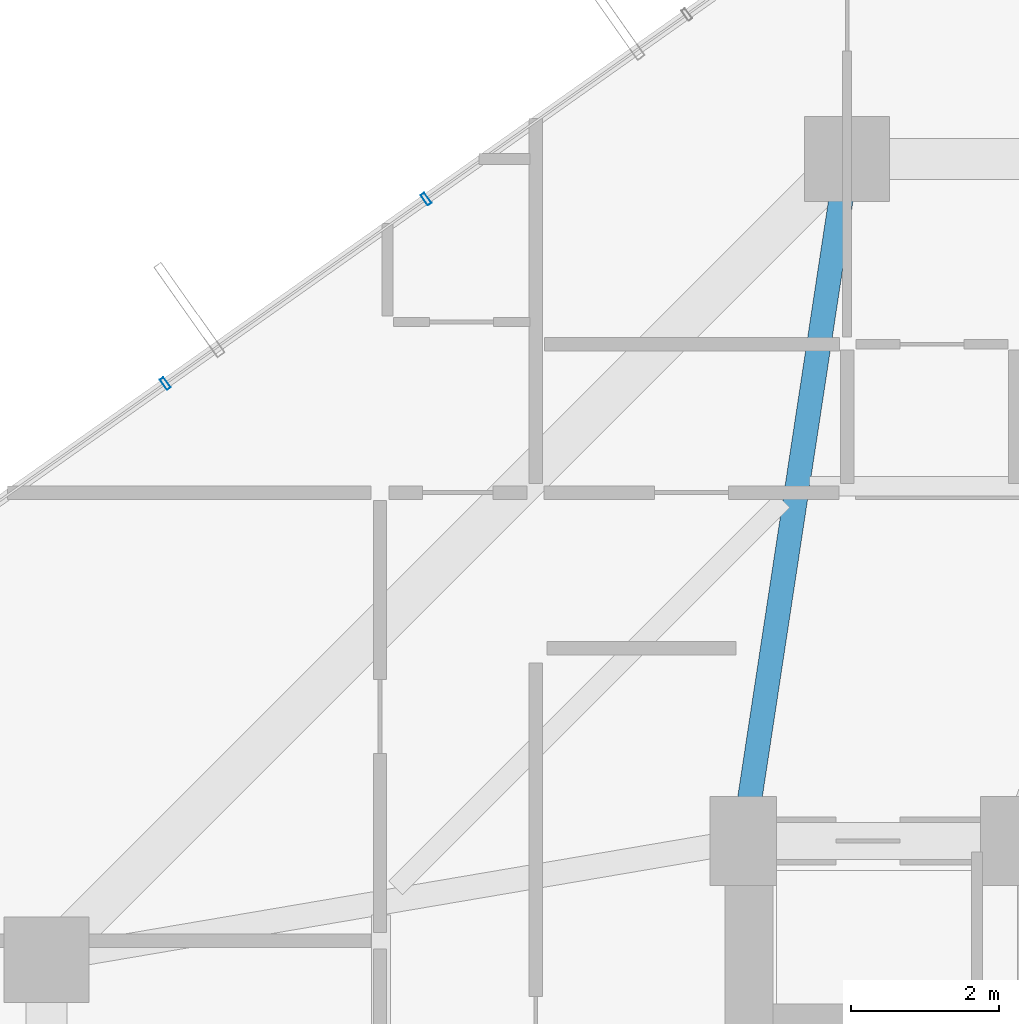
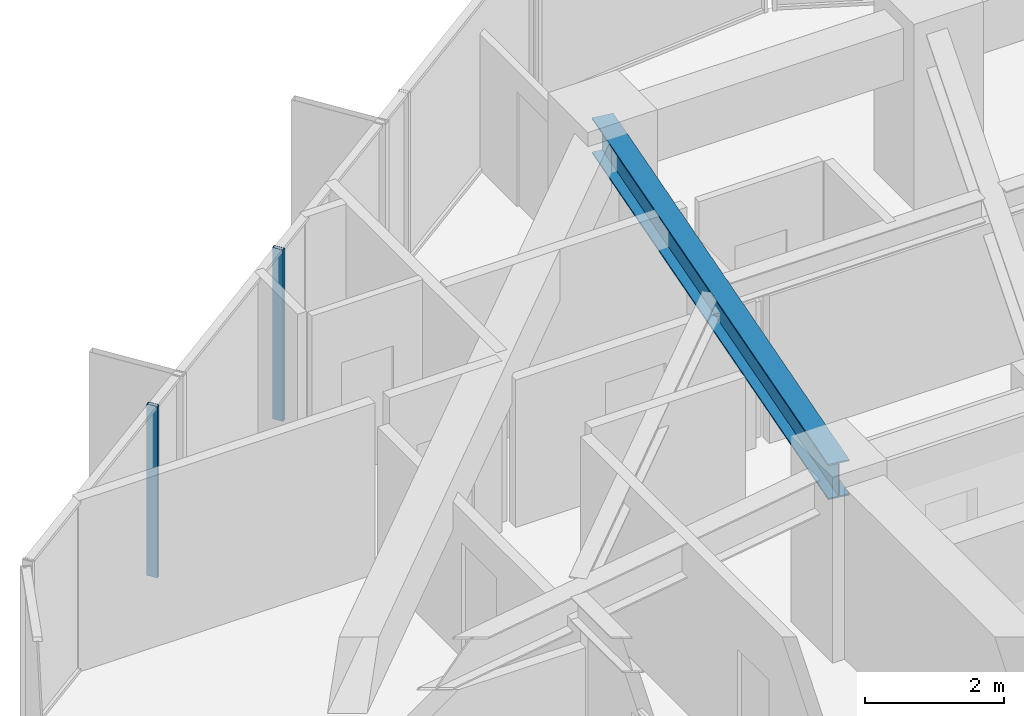
# One storey, part 19 of 33: 2 members, 1 beam, 1 element without a shape of its own.
"""IFC4 building model written with IfcOpenShell, lengths in metres."""

from ifc_helpers import new_model, si_unit, direction, frame, origin, origin_2d, place, context, subcontext, project, spatial, hollow_rectangle, i_section, extrude, source, transform, mapped, material, layer, layer_set, material_profile, profile_set, type_object, element, aggregate, save


model = new_model("IFC4")

# Units and contexts
model_context = context("Model", 3, precision=1e-05, world=origin(), true_north=direction((0.0, 1.0)))
body_context = subcontext(model_context, "Body", "Model", "MODEL_VIEW")
ifc_project = project(units=[si_unit("LENGTHUNIT", "METRE"), si_unit("AREAUNIT", "SQUARE_METRE"), si_unit("VOLUMEUNIT", "CUBIC_METRE"), si_unit("PLANEANGLEUNIT", "RADIAN"), si_unit("MASSUNIT", "GRAM", prefix="KILO")], contexts=[model_context])

# Site, building, storey
site_placement = place(None, origin())
site = spatial("IfcSite", under=ifc_project, at=site_placement, CompositionType="ELEMENT")
building_placement = place(site_placement, origin())
building = spatial("IfcBuilding", under=site, at=building_placement, Name="Veraguas Prism Commons", CompositionType="ELEMENT")
storey_placement = place(building_placement, frame((0.0, 0.0, 145.75)))
storey = spatial("IfcBuildingStorey", under=building, at=storey_placement, Name="L41", CompositionType="ELEMENT", Elevation=145.75)

# Beam
ifc_material_1 = material(Name="Steel ASTM A992 Grade 50", Category="steel")
ifc_material_profile_1 = material_profile(ifc_material_1, i_section(OverallWidth=0.327880859375, OverallDepth=0.6220703125, WebThickness=0.015380859375, FlangeThickness=0.0244140625, at=origin_2d()), Name="W610X195")
ifc_profile_set_1 = profile_set([ifc_material_profile_1], Name="Steel ASTM A992 Grade 50")
beam_type = type_object("IfcBeamType", Name="Zone 2 Radial Girder W610x195", PredefinedType="BEAM", material=ifc_profile_set_1)
beam_placement = place(storey_placement, frame((18.60009765625, 40.199951171875, 2.68896484375), z_axis=(-0.150458162136, -0.98861637729, 0.0), x_axis=(0.98861637729, -0.150458162136, 0.0)))
element("IfcBeam", 1, at=beam_placement, inside=storey, type_object=beam_type, Name="Radial Floor Girder L41-RD06", PredefinedType="BEAM", context=body_context, shape_type="SweptSolid", body=[
    extrude(i_section(OverallWidth=0.327880859375, OverallDepth=0.6220703125, WebThickness=0.015380859375, FlangeThickness=0.0244140625, at=origin_2d()), origin(), (0.0, 0.0, 1.0), 9.305908203125),
])

# Curtain wall, members
ifc_material_2 = material(Name="Anodised aluminium EN AW-6063 T6", Category="aluminium")
ifc_layer = layer(ifc_material_2, 0.169921875, Name="Unitised Flush Curtain Wall Zone 2", Category="aluminium")
ifc_layer_set = layer_set([ifc_layer], Name="Anodised aluminium EN AW-6063 T6")
curtain_wall_type = type_object("IfcCurtainWallType", Name="Unitised Flush Curtain Wall Zone 2", PredefinedType="NOTDEFINED", material=ifc_layer_set)
curtain_wall_placement = place(storey_placement, origin())
curtain_wall = element("IfcCurtainWall", 2, at=curtain_wall_placement, inside=storey, type_object=curtain_wall_type, Name="Tower Facade Curtain Wall L41-F2", PredefinedType="NOTDEFINED")
ifc_material_profile_2 = material_profile(ifc_material_2, hollow_rectangle(XDim=0.06005859375, YDim=0.169921875, WallThickness=0.00390625, at=origin_2d()), Name="AL60X170X4")
ifc_profile_set_2 = profile_set([ifc_material_profile_2], Name="Anodised aluminium EN AW-6063 T6")
member_type = type_object("IfcMemberType", Name="Curtain Wall Mullion Lower AL 60x170x4", PredefinedType="MULLION", material=ifc_profile_set_2)
shared_shape = source(origin(), body_context, "Body", "SweptSolid", [
    extrude(hollow_rectangle(XDim=0.06005859375, YDim=0.169921875, WallThickness=0.00390625, at=origin_2d()), origin(), (0.0, 0.0, 1.0), 3.0),
])
member_1_placement = place(storey_placement, frame((12.920654296875, 39.659423828125, 0.0), z_axis=(0.0, 0.0, 1.0), x_axis=(-0.81634227487, -0.577568429072, 0.0)))
member_1 = element("IfcMember", 3, at=member_1_placement, type_object=member_type, Name="CW-Z2 Mullion 3", PredefinedType="MULLION", context=body_context, shape_type="MappedRepresentation", body=[
    mapped(shared_shape, transform((0.0, 0.0, 0.0), scale=1.0)),
])
member_2_placement = place(storey_placement, frame((9.403564453125, 37.1708984375, 0.0), z_axis=(0.0, 0.0, 1.0), x_axis=(-0.81634227487, -0.577568429072, 0.0)))
member_2 = element("IfcMember", 4, at=member_2_placement, type_object=member_type, Name="CW-Z2 Mullion 4", PredefinedType="MULLION", context=body_context, shape_type="MappedRepresentation", body=[
    mapped(shared_shape, transform((0.0, 0.0, 0.0), scale=1.0)),
])
aggregate(curtain_wall, [member_1, member_2])

save(model, "model.ifc")
